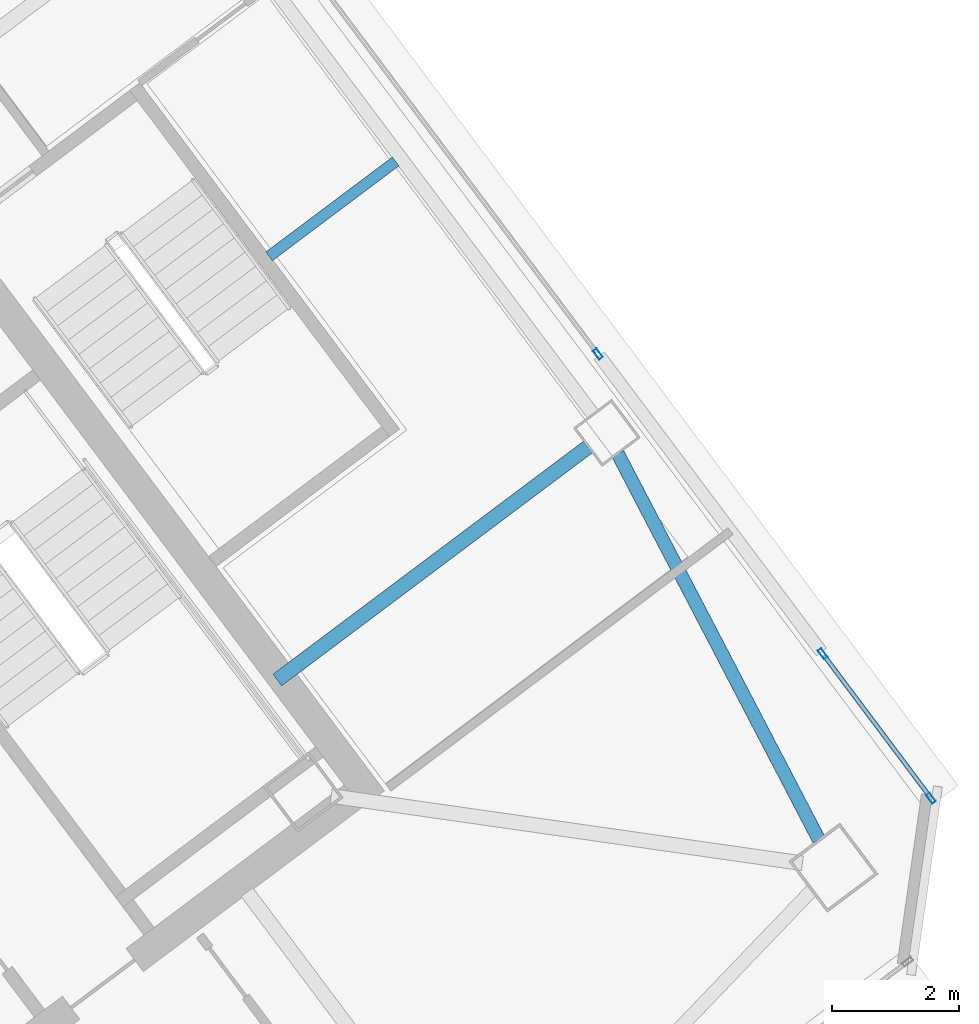
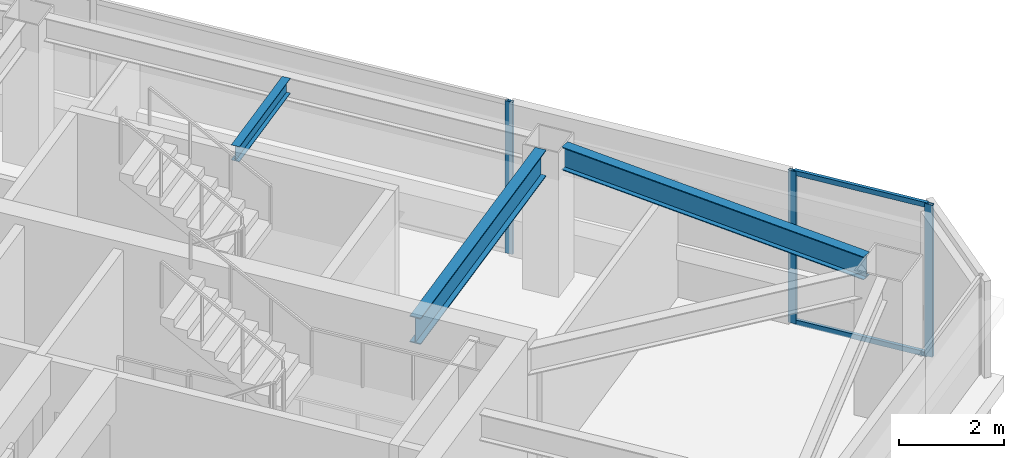
# One storey, part 22 of 36: 5 members, 3 beams, 2 elements without a shape of their own.
"""IFC4 building model written with IfcOpenShell, lengths in metres."""

from ifc_helpers import new_model, si_unit, direction, frame, origin, origin_2d, place, context, subcontext, project, spatial, hollow_rectangle, i_section, extrude, material, material_profile, profile_set, type_object, element, aggregate, save


model = new_model("IFC4")

# Units and contexts
model_context = context("Model", 3, precision=1e-05, world=origin(), true_north=direction((0.0, 1.0)))
body_context = subcontext(model_context, "Body", "Model", "MODEL_VIEW")
ifc_project = project(units=[si_unit("LENGTHUNIT", "METRE"), si_unit("AREAUNIT", "SQUARE_METRE"), si_unit("VOLUMEUNIT", "CUBIC_METRE"), si_unit("PLANEANGLEUNIT", "RADIAN"), si_unit("MASSUNIT", "GRAM", prefix="KILO")], contexts=[model_context])

# Site, building, storey
site_placement = place(None, origin())
site = spatial("IfcSite", under=ifc_project, at=site_placement, CompositionType="ELEMENT")
building_placement = place(site_placement, origin())
building = spatial("IfcBuilding", under=site, at=building_placement, Name="Tashvorn Skyway Center", CompositionType="ELEMENT")
storey_placement = place(building_placement, frame((0.0, 0.0, 236.14990234375)))
storey = spatial("IfcBuildingStorey", under=building, at=storey_placement, Name="L64", CompositionType="ELEMENT", Elevation=236.14990234375)

# Beams
ifc_material_1 = material(Name="Steel ASTM A992 Grade 50", Category="steel")
ifc_material_profile_1 = material_profile(ifc_material_1, i_section(OverallWidth=0.22998046875, OverallDepth=0.616943359375, WebThickness=0.01318359375, FlangeThickness=0.022216796875, at=origin_2d()), Name="W24X94")
ifc_profile_set_1 = profile_set([ifc_material_profile_1], Name="Steel ASTM A992 Grade 50")
beam_type_1 = type_object("IfcBeamType", Name="BM-BEAM-W24X94", PredefinedType="BEAM", material=ifc_profile_set_1)
beam_1_placement = place(storey_placement, frame((128.343994140625, 36.008056640625, 3.0615234375), z_axis=(-0.799980788524, -0.600025614447, 0.0), x_axis=(0.600025614447, -0.799980788524, 0.0)))
element("IfcBeam", 1, at=beam_1_placement, inside=storey, type_object=beam_type_1, Name="Tower 2 L64 Primary Floor Girder FC-E1", PredefinedType="BEAM", context=body_context, shape_type="SweptSolid", body=[
    extrude(i_section(OverallWidth=0.22998046875, OverallDepth=0.616943359375, WebThickness=0.01318359375, FlangeThickness=0.022216796875, at=origin_2d()), origin(), (0.0, 0.0, 1.0), 6.10009765625),
])
ifc_material_profile_2 = material_profile(ifc_material_1, i_section(OverallWidth=0.1708984375, OverallDepth=0.35498046875, WebThickness=0.007080078125, FlangeThickness=0.01171875, at=origin_2d()), Name="W14X34")
ifc_profile_set_2 = profile_set([ifc_material_profile_2], Name="Steel ASTM A992 Grade 50")
beam_type_2 = type_object("IfcBeamType", Name="BM-JOIST-W14X34", PredefinedType="JOIST", material=ifc_profile_set_2)
beam_2_placement = place(storey_placement, frame((123.3359375, 39.001953125, 3.192626953125), z_axis=(0.80001180088, 0.599984265171, 0.0), x_axis=(-0.599984265171, 0.80001180088, 0.0)))
element("IfcBeam", 2, at=beam_2_placement, inside=storey, type_object=beam_type_2, Name="Tower 2 L64 Secondary Composite Joist JE", PredefinedType="JOIST", context=body_context, shape_type="SweptSolid", body=[
    extrude(i_section(OverallWidth=0.1708984375, OverallDepth=0.35498046875, WebThickness=0.007080078125, FlangeThickness=0.01171875, at=origin_2d()), origin(), (0.0, 0.0, 1.0), 2.482666015625),
])
ifc_material_profile_3 = material_profile(ifc_material_1, i_section(OverallWidth=0.2109375, OverallDepth=0.5390625, WebThickness=0.01171875, FlangeThickness=0.018798828125, at=origin_2d()), Name="W21X73")
ifc_profile_set_3 = profile_set([ifc_material_profile_3], Name="Steel ASTM A992 Grade 50")
beam_type_3 = type_object("IfcBeamType", Name="BM-SPANDREL-W21X73", PredefinedType="SPANDREL", material=ifc_profile_set_3)
beam_3_placement = place(storey_placement, frame((131.97119140625, 29.8388671875, 3.1005859375), z_axis=(-0.462204749472, 0.886773234579, 0.0), x_axis=(-0.886773234579, -0.462204749472, 0.0)))
element("IfcBeam", 3, at=beam_3_placement, inside=storey, type_object=beam_type_3, Name="Tower 2 L64 Spandrel Beam 04", PredefinedType="SPANDREL", context=body_context, shape_type="SweptSolid", body=[
    extrude(i_section(OverallWidth=0.2109375, OverallDepth=0.5390625, WebThickness=0.01171875, FlangeThickness=0.018798828125, at=origin_2d()), origin(), (0.0, 0.0, 1.0), 6.837158203125),
])

# Curtain wall, member
ifc_material_2 = material(Name="Thermally broken bronze-anodized aluminium 6063-T6", Category="aluminium")
curtain_wall_type = type_object("IfcCurtainWallType", Name="CW-CW-Z5", PredefinedType="NOTDEFINED", material=ifc_material_2)
curtain_wall_1_placement = place(storey_placement, origin())
curtain_wall_1 = element("IfcCurtainWall", 4, at=curtain_wall_1_placement, inside=storey, type_object=curtain_wall_type, Name="Tower 2 L64 East Unitised Curtain Wall Glazing Group 2", PredefinedType="NOTDEFINED")
ifc_material_profile_4 = material_profile(ifc_material_2, hollow_rectangle(XDim=0.070068359375, YDim=0.1650390625, WallThickness=0.00390625, at=origin_2d()), Name="ALU-MULL-70x165")
ifc_profile_set_4 = profile_set([ifc_material_profile_4], Name="Thermally broken bronze-anodized aluminium 6063-T6")
member_type_1 = type_object("IfcMemberType", Name="CWM-CW-Z5", PredefinedType="MULLION", material=ifc_profile_set_4)
member_1_placement = place(storey_placement, frame((128.4990234375, 37.468017578125, 0.0), z_axis=(0.0, 0.0, 1.0), x_axis=(0.799999999998, 0.600000000002, 0.0)))
member_1 = element("IfcMember", 5, at=member_1_placement, type_object=member_type_1, Name="CW-Z5 mullion 2", PredefinedType="MULLION", context=body_context, shape_type="SweptSolid", body=[
    extrude(hollow_rectangle(XDim=0.070068359375, YDim=0.1650390625, WallThickness=0.00390625, at=origin_2d()), origin(), (0.0, 0.0, 1.0), 3.550048828125),
])
aggregate(curtain_wall_1, [member_1])

# Curtain wall, members
curtain_wall_2_placement = place(storey_placement, origin())
curtain_wall_2 = element("IfcCurtainWall", 6, at=curtain_wall_2_placement, inside=storey, type_object=curtain_wall_type, Name="Tower 2 L64 East Unitised Curtain Wall Glazing Group 3", PredefinedType="NOTDEFINED")
member_2_placement = place(storey_placement, frame((132.029052734375, 32.76123046875, 0.0), z_axis=(0.0, 0.0, 1.0), x_axis=(0.799995871508, 0.600005504617, 0.0)))
member_2 = element("IfcMember", 7, at=member_2_placement, type_object=member_type_1, Name="CW-Z5 mullion 1", PredefinedType="MULLION", context=body_context, shape_type="SweptSolid", body=[
    extrude(hollow_rectangle(XDim=0.070068359375, YDim=0.1650390625, WallThickness=0.00390625, at=origin_2d()), origin(), (0.0, 0.0, 1.0), 3.550048828125),
])
member_3_placement = place(storey_placement, frame((133.73095703125, 30.491943359375, 0.0), z_axis=(0.0, 0.0, 1.0), x_axis=(0.799995871508, 0.600005504617, 0.0)))
member_3 = element("IfcMember", 8, at=member_3_placement, type_object=member_type_1, Name="CW-Z5 mullion 2", PredefinedType="MULLION", context=body_context, shape_type="SweptSolid", body=[
    extrude(hollow_rectangle(XDim=0.070068359375, YDim=0.1650390625, WallThickness=0.00390625, at=origin_2d()), origin(), (0.0, 0.0, 1.0), 3.550048828125),
])
ifc_material_profile_5 = material_profile(ifc_material_2, hollow_rectangle(XDim=0.070068359375, YDim=0.114990234375, WallThickness=0.00390625, at=origin_2d()), Name="ALU-TRAN-70x115")
ifc_profile_set_5 = profile_set([ifc_material_profile_5], Name="Thermally broken bronze-anodized aluminium 6063-T6")
member_type_2 = type_object("IfcMemberType", Name="CWT-CW-Z5", PredefinedType="USERDEFINED", material=ifc_profile_set_5)
member_4_placement = place(storey_placement, frame((132.050048828125, 32.7333984375, 0.03515625), z_axis=(0.599971761508, -0.80002117809, 0.0), x_axis=(0.80002117809, 0.599971761508, 0.0)))
member_4 = element("IfcMember", 9, at=member_4_placement, type_object=member_type_2, Name="CW-Z5 transom 1.1", ObjectType="TRANSOM", PredefinedType="USERDEFINED", context=body_context, shape_type="SweptSolid", body=[
    extrude(hollow_rectangle(XDim=0.070068359375, YDim=0.114990234375, WallThickness=0.00390625, at=origin_2d()), origin(), (0.0, 0.0, 1.0), 2.7666015625),
])
member_5_placement = place(storey_placement, frame((132.050048828125, 32.7333984375, 3.51513671875), z_axis=(0.599971761508, -0.80002117809, 0.0), x_axis=(0.80002117809, 0.599971761508, 0.0)))
member_5 = element("IfcMember", 10, at=member_5_placement, type_object=member_type_2, Name="CW-Z5 transom 1.2", ObjectType="TRANSOM", PredefinedType="USERDEFINED", context=body_context, shape_type="SweptSolid", body=[
    extrude(hollow_rectangle(XDim=0.070068359375, YDim=0.114990234375, WallThickness=0.00390625, at=origin_2d()), origin(), (0.0, 0.0, 1.0), 2.7666015625),
])
aggregate(curtain_wall_2, [member_2, member_3, member_4, member_5])

save(model, "model.ifc")
